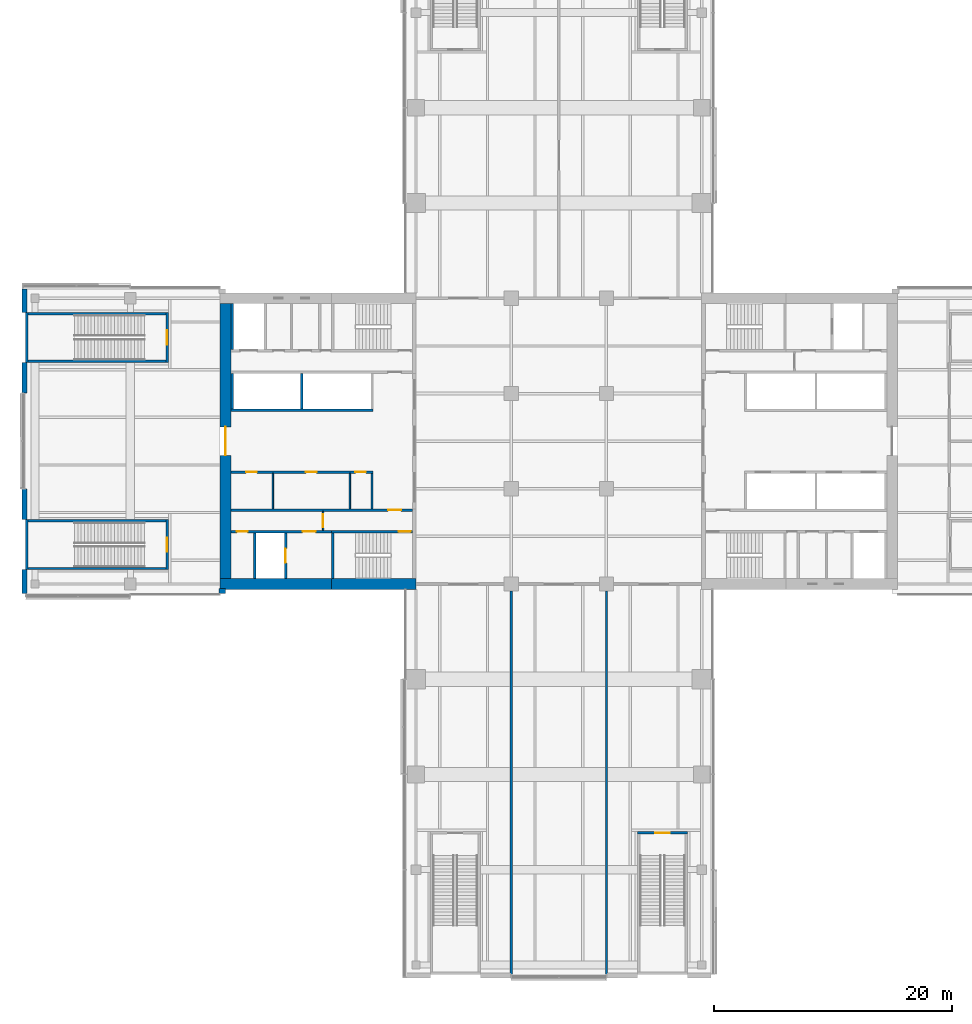
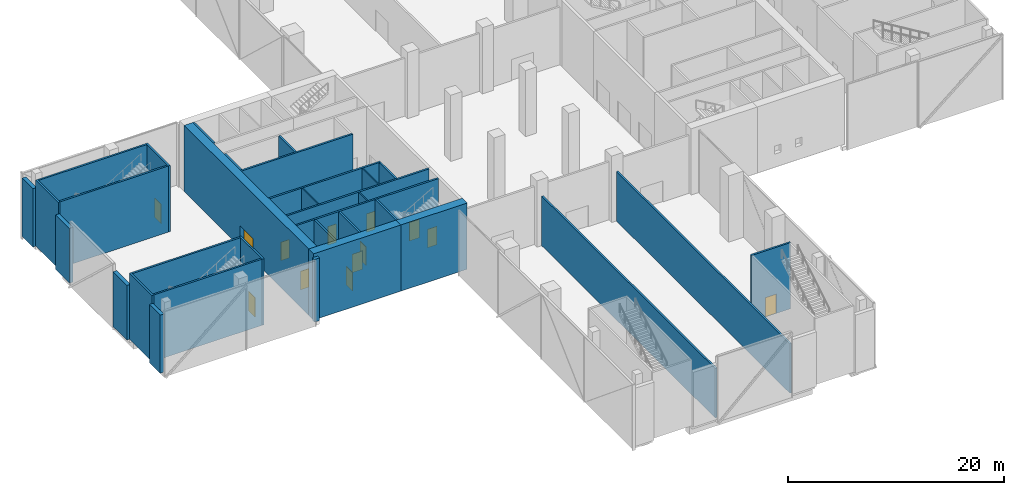
# One storey, part 14 of 25: 34 walls, 13 doors, 13 openings.
"""IFC4 building model written with IfcOpenShell, lengths in metres."""

from ifc_helpers import new_model, si_unit, direction, frame, frame_2d, origin, place, context, subcontext, project, spatial, rectangle, extrude, material, layer, layer_set, constituent, constituent_set, type_object, element, fill, save


model = new_model("IFC4")

# Units and contexts
model_context = context("Model", 3, precision=1e-05, world=origin(), true_north=direction((0.0, 1.0)))
body_context = subcontext(model_context, "Body", "Model", "MODEL_VIEW")
ifc_project = project(units=[si_unit("LENGTHUNIT", "METRE"), si_unit("AREAUNIT", "SQUARE_METRE"), si_unit("VOLUMEUNIT", "CUBIC_METRE"), si_unit("PLANEANGLEUNIT", "RADIAN"), si_unit("MASSUNIT", "GRAM", prefix="KILO")], contexts=[model_context])

# Site, building, storey
site_placement = place(None, origin())
site = spatial("IfcSite", under=ifc_project, at=site_placement, CompositionType="ELEMENT")
building_placement = place(site_placement, origin())
building = spatial("IfcBuilding", under=site, at=building_placement, Name="Crosswind Convention Tower", CompositionType="ELEMENT")
storey_placement = place(building_placement, frame((0.0, 0.0, 17.5)))
storey = spatial("IfcBuildingStorey", under=building, at=storey_placement, Name="L02", CompositionType="ELEMENT", Elevation=17.5)

# Wall, opening, door
ifc_material_1 = material(Name="Concrete C60/75", Category="concrete")
ifc_layer_1 = layer(ifc_material_1, 0.89990234375)
ifc_layer_set_1 = layer_set([ifc_layer_1], Name="Concrete C60/75")
wall_type_1 = type_object("IfcWallType", Name="Concrete core wall 900", PredefinedType="SHEAR", material=ifc_layer_set_1)
wall_1_placement = place(storey_placement, frame((97.0, 111.550048828125, 0.0), z_axis=(0.0, 0.0, 1.0), x_axis=(0.0, -1.0, 0.0)))
wall_1 = element("IfcWall", 1, at=wall_1_placement, inside=storey, type_object=wall_type_1, Name="Wall O W L02", PredefinedType="SHEAR", context=body_context, shape_type="SweptSolid", body=[
    extrude(rectangle(XDim=23.10009765625, YDim=0.89990234375, at=frame_2d((11.550048828125, 0.0))), origin(), (0.0, 0.0, 1.0), 7.5),
])
opening_1_placement = place(wall_1_placement, frame((10.35009765625, 0.0, 0.0)))
opening_1 = element("IfcOpeningElement", 2, at=opening_1_placement, cuts=wall_1, Name="Opening D100", PredefinedType="OPENING", context=body_context, shape_type="SweptSolid", body=[
    extrude(rectangle(XDim=2.39990234375, YDim=2.39990234375, at=frame_2d((1.199951171875, 1.199951171875))), frame((0.0, 0.4599609375, 0.0), z_axis=(0.0, -1.0, 0.0), x_axis=(1.0, 0.0, 0.0)), (0.0, 0.0, 1.0), 0.919921875),
])
ifc_material_2 = material(Name="Steel fire door with glazed vision panels", Category="steel")
door_type_1 = type_object("IfcDoorType", Name="Fire-rated double door 2400x2400", OperationType="DOUBLE_DOOR_SINGLE_SWING", PredefinedType="DOOR", material=ifc_material_2)
door_1_placement = place(opening_1_placement, frame((2.39990234375, 0.0, 0.0), z_axis=(0.0, 0.0, 1.0), x_axis=(-1.0, 0.0, 0.0)))
door_1 = element("IfcDoor", 3, at=door_1_placement, inside=storey, type_object=door_type_1, Name="Lobby outer door L02", ObjectType="D100", OperationType="DOUBLE_DOOR_SINGLE_SWING", OverallHeight=2.39990234375, OverallWidth=2.39990234375, PredefinedType="DOOR", context=body_context, shape_type="SweptSolid", body=[
    extrude(rectangle(XDim=2.39990234375, YDim=2.39990234375, at=frame_2d((1.199951171875, 1.199951171875))), frame((0.0, 0.02490234375, 0.0), z_axis=(0.0, -1.0, 0.0), x_axis=(1.0, 0.0, 0.0)), (0.0, 0.0, 1.0), 0.050048828125),
])
fill(opening_1, door_1)

# Wall
ifc_material_3 = material(Name="Concrete C50/60", Category="concrete")
ifc_layer_2 = layer(ifc_material_3, 0.199951171875)
ifc_layer_set_2 = layer_set([ifc_layer_2], Name="Concrete C50/60")
wall_type_2 = type_object("IfcWallType", Name="Concrete shaft and stair wall 200", PredefinedType="SHEAR", material=ifc_layer_set_2)
wall_2_placement = place(storey_placement, frame((109.300048828125, 97.300048828125, 0.0), z_axis=(0.0, 0.0, 1.0), x_axis=(0.0, -1.0, 0.0)))
element("IfcWall", 4, at=wall_2_placement, inside=storey, type_object=wall_type_2, Name="Wall RPEND W L02", PredefinedType="SHEAR", context=body_context, shape_type="SweptSolid", body=[
    extrude(rectangle(XDim=3.0, YDim=0.199951171875, at=frame_2d((1.5, 0.0))), origin(), (0.0, 0.0, 1.0), 7.5),
])

# Wall, openings, doors
wall_3_placement = place(storey_placement, frame((109.39990234375, 97.39990234375, 0.0), z_axis=(0.0, 0.0, 1.0), x_axis=(-1.0, 0.0, 0.0)))
wall_3 = element("IfcWall", 5, at=wall_3_placement, inside=storey, type_object=wall_type_2, Name="Wall RPFRONT W L02", PredefinedType="SHEAR", context=body_context, shape_type="SweptSolid", body=[
    extrude(rectangle(XDim=11.949951171875, YDim=0.199951171875, at=frame_2d((5.97509765625, 0.0))), origin(), (0.0, 0.0, 1.0), 7.5),
])
opening_2_placement = place(wall_3_placement, frame((0.60009765625, 0.0, 0.0)))
opening_2 = element("IfcOpeningElement", 6, at=opening_2_placement, cuts=wall_3, Name="Opening D106", PredefinedType="OPENING", context=body_context, shape_type="SweptSolid", body=[
    extrude(rectangle(XDim=0.89990234375, YDim=2.10009765625, at=frame_2d((0.449951171875, 1.050048828125))), frame((0.0, 0.10986328125, 0.0), z_axis=(0.0, -1.0, 0.0), x_axis=(1.0, 0.0, 0.0)), (0.0, 0.0, 1.0), 0.219970703125),
])
opening_3_placement = place(wall_3_placement, frame((4.74365234375, 0.0, 0.0)))
opening_3 = element("IfcOpeningElement", 7, at=opening_3_placement, cuts=wall_3, Name="Opening D106", PredefinedType="OPENING", context=body_context, shape_type="SweptSolid", body=[
    extrude(rectangle(XDim=0.89990234375, YDim=2.10009765625, at=frame_2d((0.449951171875, 1.050048828125))), frame((0.0, 0.10986328125, 0.0), z_axis=(0.0, -1.0, 0.0), x_axis=(1.0, 0.0, 0.0)), (0.0, 0.0, 1.0), 0.219970703125),
])
opening_4_placement = place(wall_3_placement, frame((9.768798828125, 0.0, 0.0)))
opening_4 = element("IfcOpeningElement", 8, at=opening_4_placement, cuts=wall_3, Name="Opening D106", PredefinedType="OPENING", context=body_context, shape_type="SweptSolid", body=[
    extrude(rectangle(XDim=0.89990234375, YDim=2.10009765625, at=frame_2d((0.449951171875, 1.050048828125))), frame((0.0, 0.10986328125, 0.0), z_axis=(0.0, -1.0, 0.0), x_axis=(1.0, 0.0, 0.0)), (0.0, 0.0, 1.0), 0.219970703125),
])
ifc_material_4 = material(Name="Timber door", Category="wood")
door_type_2 = type_object("IfcDoorType", Name="Single leaf door 900x2100", OperationType="NOTDEFINED", PredefinedType="DOOR", material=ifc_material_4)
door_2_placement = place(opening_2_placement, origin())
door_2 = element("IfcDoor", 9, at=door_2_placement, inside=storey, type_object=door_type_2, Name="Door to green room L02", ObjectType="D106", OperationType="SINGLE_SWING_RIGHT", OverallHeight=2.10009765625, OverallWidth=0.89990234375, PredefinedType="DOOR", context=body_context, shape_type="SweptSolid", body=[
    extrude(rectangle(XDim=0.89990234375, YDim=2.10009765625, at=frame_2d((0.449951171875, 1.050048828125))), frame((0.0, 0.02490234375, 0.0), z_axis=(0.0, -1.0, 0.0), x_axis=(1.0, 0.0, 0.0)), (0.0, 0.0, 1.0), 0.050048828125),
])
fill(opening_2, door_2)
door_3_placement = place(opening_3_placement, origin())
door_3 = element("IfcDoor", 10, at=door_3_placement, inside=storey, type_object=door_type_2, Name="Door to storeroom L02", ObjectType="D106", OperationType="SINGLE_SWING_RIGHT", OverallHeight=2.10009765625, OverallWidth=0.89990234375, PredefinedType="DOOR", context=body_context, shape_type="SweptSolid", body=[
    extrude(rectangle(XDim=0.89990234375, YDim=2.10009765625, at=frame_2d((0.449951171875, 1.050048828125))), frame((0.0, 0.02490234375, 0.0), z_axis=(0.0, -1.0, 0.0), x_axis=(1.0, 0.0, 0.0)), (0.0, 0.0, 1.0), 0.050048828125),
])
fill(opening_3, door_3)
door_4_placement = place(opening_4_placement, origin())
door_4 = element("IfcDoor", 11, at=door_4_placement, inside=storey, type_object=door_type_2, Name="Door to meeting room L02", ObjectType="D106", OperationType="SINGLE_SWING_RIGHT", OverallHeight=2.10009765625, OverallWidth=0.89990234375, PredefinedType="DOOR", context=body_context, shape_type="SweptSolid", body=[
    extrude(rectangle(XDim=0.89990234375, YDim=2.10009765625, at=frame_2d((0.449951171875, 1.050048828125))), frame((0.0, 0.02490234375, 0.0), z_axis=(0.0, -1.0, 0.0), x_axis=(1.0, 0.0, 0.0)), (0.0, 0.0, 1.0), 0.050048828125),
])
fill(opening_4, door_4)

# Walls
for number, where, z_axis, x_axis, name in (
    (12, (103.39990234375, 105.699951171875, 0.0), (0.0, 0.0, 1.0), (0.0, -1.0, 0.0), "Wall RMSEP W L02"),
    (13, (97.550048828125, 105.699951171875, 0.0), (0.0, 0.0, 1.0), (0.0, -1.0, 0.0), "Wall RMEAST W L02"),
):
    element("IfcWall", number, at=place(storey_placement, frame(where, z_axis=z_axis, x_axis=x_axis)), inside=storey, type_object=wall_type_2, Name=name, PredefinedType="SHEAR", context=body_context, shape_type="SweptSolid", body=[
        extrude(rectangle(XDim=3.0, YDim=0.199951171875, at=frame_2d((1.5, 0.0))), origin(), (0.0, 0.0, 1.0), 7.5),
    ])
wall_4_placement = place(storey_placement, frame((109.39990234375, 102.60009765625, 0.0), z_axis=(0.0, 0.0, 1.0), x_axis=(-1.0, 0.0, 0.0)))
element("IfcWall", 14, at=wall_4_placement, inside=storey, type_object=wall_type_2, Name="Wall RMFRONT W L02", PredefinedType="SHEAR", context=body_context, shape_type="SweptSolid", body=[
    extrude(rectangle(XDim=11.949951171875, YDim=0.199951171875, at=frame_2d((5.97509765625, 0.0))), origin(), (0.0, 0.0, 1.0), 7.5),
])

# Wall, opening, door
wall_5_placement = place(storey_placement, frame((112.699951171875, 94.199951171875, 0.0), z_axis=(0.0, 0.0, 1.0), x_axis=(-1.0, 0.0, 0.0)))
wall_5 = element("IfcWall", 15, at=wall_5_placement, inside=storey, type_object=wall_type_2, Name="Wall HP W L02", PredefinedType="SHEAR", context=body_context, shape_type="SweptSolid", body=[
    extrude(rectangle(XDim=15.25, YDim=0.199951171875, at=frame_2d((7.625, 0.0))), origin(), (0.0, 0.0, 1.0), 7.5),
])
opening_5_placement = place(wall_5_placement, frame((0.949951171875, 0.0, 0.0)))
opening_5 = element("IfcOpeningElement", 16, at=opening_5_placement, cuts=wall_5, Name="Opening D104", PredefinedType="OPENING", context=body_context, shape_type="SweptSolid", body=[
    extrude(rectangle(XDim=1.10009765625, YDim=2.10009765625, at=frame_2d((0.550048828125, 1.050048828125))), frame((0.0, 0.10986328125, 0.0), z_axis=(0.0, -1.0, 0.0), x_axis=(1.0, 0.0, 0.0)), (0.0, 0.0, 1.0), 0.219970703125),
])
ifc_material_5 = material(Name="Steel fire door", Category="steel")
door_type_3 = type_object("IfcDoorType", Name="Fire-rated single door 1100x2100", OperationType="NOTDEFINED", PredefinedType="DOOR", material=ifc_material_5)
door_5_placement = place(opening_5_placement, frame((1.10009765625, 0.0, 0.0), z_axis=(0.0, 0.0, 1.0), x_axis=(-1.0, 0.0, 0.0)))
door_5 = element("IfcDoor", 17, at=door_5_placement, inside=storey, type_object=door_type_3, Name="Corridor door L02", ObjectType="D104", OperationType="SINGLE_SWING_RIGHT", OverallHeight=2.10009765625, OverallWidth=1.10009765625, PredefinedType="DOOR", context=body_context, shape_type="SweptSolid", body=[
    extrude(rectangle(XDim=1.10009765625, YDim=2.10009765625, at=frame_2d((0.550048828125, 1.050048828125))), frame((0.0, 0.02490234375, 0.0), z_axis=(0.0, -1.0, 0.0), x_axis=(1.0, 0.0, 0.0)), (0.0, 0.0, 1.0), 0.050048828125),
])
fill(opening_5, door_5)

# Wall
wall_6_placement = place(storey_placement, frame((106.0, 92.300048828125, 0.0), z_axis=(0.0, 0.0, 1.0), x_axis=(0.0, -1.0, 0.0)))
element("IfcWall", 18, at=wall_6_placement, inside=storey, type_object=wall_type_2, Name="Wall PSE W L02", PredefinedType="SHEAR", context=body_context, shape_type="SweptSolid", body=[
    extrude(rectangle(XDim=3.85009765625, YDim=0.199951171875, at=frame_2d((1.925048828125, 0.0))), origin(), (0.0, 0.0, 1.0), 7.5),
])

# Wall, opening, door
wall_7_placement = place(storey_placement, frame((102.050048828125, 92.300048828125, 0.0), z_axis=(0.0, 0.0, 1.0), x_axis=(0.0, -1.0, 0.0)))
wall_7 = element("IfcWall", 19, at=wall_7_placement, inside=storey, type_object=wall_type_2, Name="Wall PFLW W L02", PredefinedType="SHEAR", context=body_context, shape_type="SweptSolid", body=[
    extrude(rectangle(XDim=3.85009765625, YDim=0.199951171875, at=frame_2d((1.925048828125, 0.0))), origin(), (0.0, 0.0, 1.0), 7.5),
])
opening_6_placement = place(wall_7_placement, frame((1.324951171875, 0.0, 0.0)))
opening_6 = element("IfcOpeningElement", 20, at=opening_6_placement, cuts=wall_7, Name="Opening LD1", PredefinedType="OPENING", context=body_context, shape_type="SweptSolid", body=[
    extrude(rectangle(XDim=1.199951171875, YDim=2.10009765625, at=frame_2d((0.60009765625, 1.050048828125))), frame((0.0, 0.10986328125, 0.0), z_axis=(0.0, -1.0, 0.0), x_axis=(1.0, 0.0, 0.0)), (0.0, 0.0, 1.0), 0.219970703125),
])
ifc_material_6 = material(Name="Stainless steel", Category="steel")
door_type_4 = type_object("IfcDoorType", Name="Lift landing door 1200x2100", OperationType="DOUBLE_DOOR_SLIDING", PredefinedType="DOOR", material=ifc_material_6)
door_6_placement = place(opening_6_placement, origin())
door_6 = element("IfcDoor", 21, at=door_6_placement, inside=storey, type_object=door_type_4, Name="Landing door FF2 L02", ObjectType="LD1", OperationType="DOUBLE_DOOR_SLIDING", OverallHeight=2.10009765625, OverallWidth=1.199951171875, PredefinedType="DOOR", context=body_context, shape_type="SweptSolid", body=[
    extrude(rectangle(XDim=1.199951171875, YDim=2.10009765625, at=frame_2d((0.60009765625, 1.050048828125))), frame((0.0, 0.02490234375, 0.0), z_axis=(0.0, -1.0, 0.0), x_axis=(1.0, 0.0, 0.0)), (0.0, 0.0, 1.0), 0.050048828125),
])
fill(opening_6, door_6)

# Wall
wall_8_placement = place(storey_placement, frame((99.449951171875, 92.300048828125, 0.0), z_axis=(0.0, 0.0, 1.0), x_axis=(0.0, -1.0, 0.0)))
element("IfcWall", 22, at=wall_8_placement, inside=storey, type_object=wall_type_2, Name="Wall PFSE W L02", PredefinedType="SHEAR", context=body_context, shape_type="SweptSolid", body=[
    extrude(rectangle(XDim=3.85009765625, YDim=0.199951171875, at=frame_2d((1.925048828125, 0.0))), origin(), (0.0, 0.0, 1.0), 7.5),
])

# Wall, opening, door
wall_9_placement = place(storey_placement, frame((112.699951171875, 92.39990234375, 0.0), z_axis=(0.0, 0.0, 1.0), x_axis=(-1.0, 0.0, 0.0)))
wall_9 = element("IfcWall", 23, at=wall_9_placement, inside=storey, type_object=wall_type_2, Name="Wall PCW W L02", PredefinedType="SHEAR", context=body_context, shape_type="SweptSolid", body=[
    extrude(rectangle(XDim=6.800048828125, YDim=0.199951171875, at=frame_2d((3.39990234375, 0.0))), origin(), (0.0, 0.0, 1.0), 7.5),
])
opening_7_placement = place(wall_9_placement, frame((0.14990234375, 0.0, 0.0)))
opening_7 = element("IfcOpeningElement", 24, at=opening_7_placement, cuts=wall_9, Name="Opening D103", PredefinedType="OPENING", context=body_context, shape_type="SweptSolid", body=[
    extrude(rectangle(XDim=1.0, YDim=2.10009765625, at=frame_2d((0.5, 1.050048828125))), frame((0.0, 0.10986328125, 0.0), z_axis=(0.0, -1.0, 0.0), x_axis=(1.0, 0.0, 0.0)), (0.0, 0.0, 1.0), 0.219970703125),
])
door_type_5 = type_object("IfcDoorType", Name="Fire-rated single door 1000x2100", OperationType="NOTDEFINED", PredefinedType="DOOR", material=ifc_material_5)
door_7_placement = place(opening_7_placement, origin())
door_7 = element("IfcDoor", 25, at=door_7_placement, inside=storey, type_object=door_type_5, Name="Stair ST3 door L02", ObjectType="D103", OperationType="SINGLE_SWING_LEFT", OverallHeight=2.10009765625, OverallWidth=1.0, PredefinedType="DOOR", context=body_context, shape_type="SweptSolid", body=[
    extrude(rectangle(XDim=1.0, YDim=2.10009765625, at=frame_2d((0.5, 1.050048828125))), frame((0.0, 0.02490234375, 0.0), z_axis=(0.0, -1.0, 0.0), x_axis=(1.0, 0.0, 0.0)), (0.0, 0.0, 1.0), 0.050048828125),
])
fill(opening_7, door_7)

# Wall, openings, doors
wall_10_placement = place(storey_placement, frame((105.89990234375, 92.39990234375, 0.0), z_axis=(0.0, 0.0, 1.0), x_axis=(-1.0, 0.0, 0.0)))
wall_10 = element("IfcWall", 26, at=wall_10_placement, inside=storey, type_object=wall_type_2, Name="Wall PCX W L02", PredefinedType="SHEAR", context=body_context, shape_type="SweptSolid", body=[
    extrude(rectangle(XDim=8.449951171875, YDim=0.199951171875, at=frame_2d((4.22509765625, 0.0))), origin(), (0.0, 0.0, 1.0), 7.5),
])
opening_8_placement = place(wall_10_placement, frame((1.324951171875, 0.0, 0.0)))
opening_8 = element("IfcOpeningElement", 27, at=opening_8_placement, cuts=wall_10, Name="Opening D104", PredefinedType="OPENING", context=body_context, shape_type="SweptSolid", body=[
    extrude(rectangle(XDim=1.10009765625, YDim=2.10009765625, at=frame_2d((0.550048828125, 1.050048828125))), frame((0.0, 0.10986328125, 0.0), z_axis=(0.0, -1.0, 0.0), x_axis=(1.0, 0.0, 0.0)), (0.0, 0.0, 1.0), 0.219970703125),
])
opening_9_placement = place(wall_10_placement, frame((7.050048828125, 0.0, 0.0)))
opening_9 = element("IfcOpeningElement", 28, at=opening_9_placement, cuts=wall_10, Name="Opening D106", PredefinedType="OPENING", context=body_context, shape_type="SweptSolid", body=[
    extrude(rectangle(XDim=0.89990234375, YDim=2.10009765625, at=frame_2d((0.449951171875, 1.050048828125))), frame((0.0, 0.10986328125, 0.0), z_axis=(0.0, -1.0, 0.0), x_axis=(1.0, 0.0, 0.0)), (0.0, 0.0, 1.0), 0.219970703125),
])
door_8_placement = place(opening_8_placement, frame((1.10009765625, 0.0, 0.0), z_axis=(0.0, 0.0, 1.0), x_axis=(-1.0, 0.0, 0.0)))
door_8 = element("IfcDoor", 29, at=door_8_placement, inside=storey, type_object=door_type_3, Name="Fire-fighting lobby FF2 door L02", ObjectType="D104", OperationType="SINGLE_SWING_RIGHT", OverallHeight=2.10009765625, OverallWidth=1.10009765625, PredefinedType="DOOR", context=body_context, shape_type="SweptSolid", body=[
    extrude(rectangle(XDim=1.10009765625, YDim=2.10009765625, at=frame_2d((0.550048828125, 1.050048828125))), frame((0.0, 0.02490234375, 0.0), z_axis=(0.0, -1.0, 0.0), x_axis=(1.0, 0.0, 0.0)), (0.0, 0.0, 1.0), 0.050048828125),
])
fill(opening_8, door_8)
door_9_placement = place(opening_9_placement, origin())
door_9 = element("IfcDoor", 30, at=door_9_placement, inside=storey, type_object=door_type_2, Name="Door to electrical room L02", ObjectType="D106", OperationType="SINGLE_SWING_RIGHT", OverallHeight=2.10009765625, OverallWidth=0.89990234375, PredefinedType="DOOR", context=body_context, shape_type="SweptSolid", body=[
    extrude(rectangle(XDim=0.89990234375, YDim=2.10009765625, at=frame_2d((0.449951171875, 1.050048828125))), frame((0.0, 0.02490234375, 0.0), z_axis=(0.0, -1.0, 0.0), x_axis=(1.0, 0.0, 0.0)), (0.0, 0.0, 1.0), 0.050048828125),
])
fill(opening_9, door_9)

# Walls
wall_11_placement = place(storey_placement, frame((97.550048828125, 111.550048828125, 0.0), z_axis=(0.0, 0.0, 1.0), x_axis=(0.0, -1.0, 0.0)))
element("IfcWall", 31, at=wall_11_placement, inside=storey, type_object=wall_type_2, Name="Wall MFSE W L02", PredefinedType="SHEAR", context=body_context, shape_type="SweptSolid", body=[
    extrude(rectangle(XDim=3.85009765625, YDim=0.199951171875, at=frame_2d((1.925048828125, 0.0))), origin(), (0.0, 0.0, 1.0), 7.5),
])
ifc_material_7 = material(Name="Gypsum plasterboard partition", Category="gypsum")
ifc_layer_3 = layer(ifc_material_7, 0.125)
ifc_layer_set_3 = layer_set([ifc_layer_3], Name="Drywall partition wall 125")
wall_type_3 = type_object("IfcWallType", Name="Drywall partition wall 125", PredefinedType="PARTITIONING", material=ifc_layer_set_3)
for number, where, z_axis, x_axis, name in (
    (32, (107.4375, 97.300048828125, 0.0), (0.0, 0.0, 1.0), (0.0, -1.0, 0.0), "Wall RPP1 W L02"),
    (33, (100.97509765625, 97.300048828125, 0.0), (0.0, 0.0, 1.0), (0.0, -1.0, 0.0), "Wall RPP2 W L02"),
):
    element("IfcWall", number, at=place(storey_placement, frame(where, z_axis=z_axis, x_axis=x_axis)), inside=storey, type_object=wall_type_3, Name=name, PredefinedType="PARTITIONING", context=body_context, shape_type="SweptSolid", body=[
        extrude(rectangle(XDim=3.0, YDim=0.125, at=frame_2d((1.5, 0.0))), origin(), (0.0, 0.0, 1.0), 7.5),
    ])

# Wall, opening, door
wall_12_placement = place(storey_placement, frame((105.199951171875, 94.10009765625, 0.0), z_axis=(0.0, 0.0, 1.0), x_axis=(0.0, -1.0, 0.0)))
wall_12 = element("IfcWall", 34, at=wall_12_placement, inside=storey, type_object=wall_type_3, Name="Wall PXC1 W L02", PredefinedType="PARTITIONING", context=body_context, shape_type="SweptSolid", body=[
    extrude(rectangle(XDim=1.60009765625, YDim=0.125, at=frame_2d((0.800048828125, 0.0))), origin(), (0.0, 0.0, 1.0), 7.5),
])
opening_10_placement = place(wall_12_placement, frame((0.25, 0.0, 0.0)))
opening_10 = element("IfcOpeningElement", 35, at=opening_10_placement, cuts=wall_12, Name="Opening D104", PredefinedType="OPENING", context=body_context, shape_type="SweptSolid", body=[
    extrude(rectangle(XDim=1.10009765625, YDim=2.10009765625, at=frame_2d((0.550048828125, 1.050048828125))), frame((0.0, 0.072509765625, 0.0), z_axis=(0.0, -1.0, 0.0), x_axis=(1.0, 0.0, 0.0)), (0.0, 0.0, 1.0), 0.14501953125),
])
door_10_placement = place(opening_10_placement, origin())
door_10 = element("IfcDoor", 36, at=door_10_placement, inside=storey, type_object=door_type_3, Name="Corridor smoke door L02", ObjectType="D104", OperationType="SINGLE_SWING_RIGHT", OverallHeight=2.10009765625, OverallWidth=1.10009765625, PredefinedType="DOOR", context=body_context, shape_type="SweptSolid", body=[
    extrude(rectangle(XDim=1.10009765625, YDim=2.10009765625, at=frame_2d((0.550048828125, 1.050048828125))), frame((0.0, 0.02490234375, 0.0), z_axis=(0.0, -1.0, 0.0), x_axis=(1.0, 0.0, 0.0)), (0.0, 0.0, 1.0), 0.050048828125),
])
fill(opening_10, door_10)

# Walls
ifc_material_8 = material(Name="Double plasterboard partition", Category="gypsum")
ifc_layer_4 = layer(ifc_material_8, 0.199951171875)
ifc_layer_set_4 = layer_set([ifc_layer_4], Name="HALL WALL 200")
wall_type_4 = type_object("IfcWallType", Name="HALL WALL 200", PredefinedType="PARTITIONING", material=ifc_layer_set_4)
for number, where, z_axis, x_axis, name in (
    (37, (121.0, 55.199951171875, 0.0), (0.0, 0.0, 1.0), (0.0, 1.0, 0.0), "Hall Wall 32"),
    (38, (129.0, 55.199951171875, 0.0), (0.0, 0.0, 1.0), (0.0, 1.0, 0.0), "Hall Wall 34"),
):
    element("IfcWall", number, at=place(storey_placement, frame(where, z_axis=z_axis, x_axis=x_axis)), inside=storey, type_object=wall_type_4, Name=name, PredefinedType="PARTITIONING", context=body_context, shape_type="SweptSolid", body=[
        extrude(rectangle(XDim=32.199951171875, YDim=0.199951171875, at=frame_2d((16.10009765625, 0.0))), origin(), (0.0, 0.0, 1.0), 5.60009765625),
    ])

# Wall, opening, door
ifc_material_9 = material(Name="Concrete C40/50", Category="concrete")
ifc_layer_5 = layer(ifc_material_9, 0.199951171875)
ifc_layer_set_5 = layer_set([ifc_layer_5], Name="Concrete C40/50")
wall_type_5 = type_object("IfcWallType", Name="STAIR ENCLOSURE WALL 200", PredefinedType="SOLIDWALL", material=ifc_layer_set_5)
wall_13_placement = place(storey_placement, frame((131.60009765625, 67.10009765625, 0.0), z_axis=(0.0, 0.0, 1.0), x_axis=(1.0, 0.0, 0.0)))
wall_13 = element("IfcWall", 39, at=wall_13_placement, inside=storey, type_object=wall_type_5, Name="Stair Enclosure Wall 4", PredefinedType="SOLIDWALL", context=body_context, shape_type="SweptSolid", body=[
    extrude(rectangle(XDim=4.199951171875, YDim=0.199951171875, at=frame_2d((2.10009765625, 0.0))), origin(), (0.0, 0.0, 1.0), 7.5),
])
opening_11_placement = place(wall_13_placement, frame((1.5, 0.0, 0.0)))
opening_11 = element("IfcOpeningElement", 40, at=opening_11_placement, cuts=wall_13, Name="Opening 02.014", PredefinedType="OPENING", context=body_context, shape_type="SweptSolid", body=[
    extrude(rectangle(XDim=1.199951171875, YDim=2.199951171875, at=frame_2d((0.60009765625, 1.10009765625))), frame((0.0, 0.10986328125, 0.0), z_axis=(0.0, -1.0, 0.0), x_axis=(1.0, 0.0, 0.0)), (0.0, 0.0, 1.0), 0.219970703125),
])
door_type_6 = type_object("IfcDoorType", Name="STAIR DOOR 1200X2200", OperationType="NOTDEFINED", PredefinedType="DOOR", material=ifc_material_5)
door_11_placement = place(opening_11_placement, frame((1.199951171875, 0.0, 0.0), z_axis=(0.0, 0.0, 1.0), x_axis=(-1.0, 0.0, 0.0)))
door_11 = element("IfcDoor", 41, at=door_11_placement, inside=storey, type_object=door_type_6, Name="Door 02.014", ObjectType="D4", OperationType="SINGLE_SWING_LEFT", OverallHeight=2.199951171875, OverallWidth=1.199951171875, PredefinedType="DOOR", context=body_context, shape_type="SweptSolid", body=[
    extrude(rectangle(XDim=1.199951171875, YDim=2.199951171875, at=frame_2d((0.60009765625, 1.10009765625))), frame((0.0, 0.02490234375, 0.0), z_axis=(0.0, -1.0, 0.0), x_axis=(1.0, 0.0, 0.0)), (0.0, 0.0, 1.0), 0.050048828125),
])
fill(opening_11, door_11)

# Walls
for number, where, z_axis, x_axis, name in (
    (42, (80.39990234375, 89.300048828125, 0.0), (0.0, 0.0, 1.0), (1.0, 0.0, 0.0), "Stair Enclosure Wall 8"),
    (43, (80.39990234375, 93.300048828125, 0.0), (0.0, 0.0, 1.0), (1.0, 0.0, 0.0), "Stair Enclosure Wall 10"),
    (44, (80.39990234375, 106.699951171875, 0.0), (0.0, 0.0, 1.0), (1.0, 0.0, 0.0), "Stair Enclosure Wall 13"),
    (45, (80.39990234375, 110.699951171875, 0.0), (0.0, 0.0, 1.0), (1.0, 0.0, 0.0), "Stair Enclosure Wall 15"),
):
    element("IfcWall", number, at=place(storey_placement, frame(where, z_axis=z_axis, x_axis=x_axis)), inside=storey, type_object=wall_type_5, Name=name, PredefinedType="SOLIDWALL", context=body_context, shape_type="SweptSolid", body=[
        extrude(rectangle(XDim=11.60009765625, YDim=0.199951171875, at=frame_2d((5.800048828125, 0.0))), origin(), (0.0, 0.0, 1.0), 7.5),
    ])
for number, where, z_axis, x_axis, name in (
    (46, (80.300048828125, 89.199951171875, 0.0), (0.0, 0.0, 1.0), (0.0, 1.0, 0.0), "Stair Enclosure Wall 24"),
    (47, (80.300048828125, 106.60009765625, 0.0), (0.0, 0.0, 1.0), (0.0, 1.0, 0.0), "Stair Enclosure Wall 25"),
):
    element("IfcWall", number, at=place(storey_placement, frame(where, z_axis=z_axis, x_axis=x_axis)), inside=storey, type_object=wall_type_5, Name=name, PredefinedType="SOLIDWALL", context=body_context, shape_type="SweptSolid", body=[
        extrude(rectangle(XDim=4.199951171875, YDim=0.199951171875, at=frame_2d((2.10009765625, 0.0))), origin(), (0.0, 0.0, 1.0), 7.5),
    ])

# Wall, opening, door
wall_14_placement = place(storey_placement, frame((92.10009765625, 89.199951171875, 0.0), z_axis=(0.0, 0.0, 1.0), x_axis=(0.0, 1.0, 0.0)))
wall_14 = element("IfcWall", 48, at=wall_14_placement, inside=storey, type_object=wall_type_5, Name="Stair Enclosure Wall 26", PredefinedType="SOLIDWALL", context=body_context, shape_type="SweptSolid", body=[
    extrude(rectangle(XDim=4.199951171875, YDim=0.199951171875, at=frame_2d((2.10009765625, 0.0))), origin(), (0.0, 0.0, 1.0), 7.5),
])
opening_12_placement = place(wall_14_placement, frame((1.5, 0.0, 0.0)))
opening_12 = element("IfcOpeningElement", 49, at=opening_12_placement, cuts=wall_14, Name="Opening 02.015", PredefinedType="OPENING", context=body_context, shape_type="SweptSolid", body=[
    extrude(rectangle(XDim=1.199951171875, YDim=2.199951171875, at=frame_2d((0.60009765625, 1.10009765625))), frame((0.0, 0.10986328125, 0.0), z_axis=(0.0, -1.0, 0.0), x_axis=(1.0, 0.0, 0.0)), (0.0, 0.0, 1.0), 0.219970703125),
])
door_12_placement = place(opening_12_placement, origin())
door_12 = element("IfcDoor", 50, at=door_12_placement, inside=storey, type_object=door_type_6, Name="Door 02.015", ObjectType="D4", OperationType="SINGLE_SWING_RIGHT", OverallHeight=2.199951171875, OverallWidth=1.199951171875, PredefinedType="DOOR", context=body_context, shape_type="SweptSolid", body=[
    extrude(rectangle(XDim=1.199951171875, YDim=2.199951171875, at=frame_2d((0.60009765625, 1.10009765625))), frame((0.0, 0.02490234375, 0.0), z_axis=(0.0, -1.0, 0.0), x_axis=(1.0, 0.0, 0.0)), (0.0, 0.0, 1.0), 0.050048828125),
])
fill(opening_12, door_12)

wall_15_placement = place(storey_placement, frame((92.10009765625, 106.60009765625, 0.0), z_axis=(0.0, 0.0, 1.0), x_axis=(0.0, 1.0, 0.0)))
wall_15 = element("IfcWall", 51, at=wall_15_placement, inside=storey, type_object=wall_type_5, Name="Stair Enclosure Wall 27", PredefinedType="SOLIDWALL", context=body_context, shape_type="SweptSolid", body=[
    extrude(rectangle(XDim=4.199951171875, YDim=0.199951171875, at=frame_2d((2.10009765625, 0.0))), origin(), (0.0, 0.0, 1.0), 7.5),
])
opening_13_placement = place(wall_15_placement, frame((1.5, 0.0, 0.0)))
opening_13 = element("IfcOpeningElement", 52, at=opening_13_placement, cuts=wall_15, Name="Opening 02.016", PredefinedType="OPENING", context=body_context, shape_type="SweptSolid", body=[
    extrude(rectangle(XDim=1.199951171875, YDim=2.199951171875, at=frame_2d((0.60009765625, 1.10009765625))), frame((0.0, 0.10986328125, 0.0), z_axis=(0.0, -1.0, 0.0), x_axis=(1.0, 0.0, 0.0)), (0.0, 0.0, 1.0), 0.219970703125),
])
door_13_placement = place(opening_13_placement, origin())
door_13 = element("IfcDoor", 53, at=door_13_placement, inside=storey, type_object=door_type_6, Name="Door 02.016", ObjectType="D4", OperationType="SINGLE_SWING_RIGHT", OverallHeight=2.199951171875, OverallWidth=1.199951171875, PredefinedType="DOOR", context=body_context, shape_type="SweptSolid", body=[
    extrude(rectangle(XDim=1.199951171875, YDim=2.199951171875, at=frame_2d((0.60009765625, 1.10009765625))), frame((0.0, 0.02490234375, 0.0), z_axis=(0.0, -1.0, 0.0), x_axis=(1.0, 0.0, 0.0)), (0.0, 0.0, 1.0), 0.050048828125),
])
fill(opening_13, door_13)

# Walls
ifc_material_10 = material(Name="Terracotta rainscreen", Category="ceramic")
ifc_layer_6 = layer(ifc_material_10, 0.02001953125)
ifc_material_11 = material(Name="Mineral wool insulation", Category="insulation")
ifc_layer_7 = layer(ifc_material_11, 0.10009765625)
ifc_material_12 = material(Name="Concrete blockwork", Category="masonry")
ifc_layer_8 = layer(ifc_material_12, 0.285888671875)
ifc_layer_set_6 = layer_set([ifc_layer_6, ifc_layer_7, ifc_layer_8], Name="TERRACOTTA CORNER INFILL WALL 406")
wall_type_6 = type_object("IfcWallType", Name="TERRACOTTA CORNER INFILL WALL 406", PredefinedType="SOLIDWALL", material=ifc_layer_set_6)
wall_16_placement = place(storey_placement, frame((96.445068359375, 87.403076171875, 0.0), z_axis=(0.0, 0.0, 1.0), x_axis=(1.0, 0.0, 0.0)))
element("IfcWall", 54, at=wall_16_placement, inside=storey, type_object=wall_type_6, Name="Core corner infill wall L02 3", PredefinedType="SOLIDWALL", context=body_context, shape_type="SweptSolid", body=[
    extrude(rectangle(XDim=0.554931640625, YDim=0.406005859375, at=frame_2d((0.27734375, 0.0))), origin(), (0.0, 0.0, 1.0), 7.10009765625),
])
ifc_layer_9 = layer(ifc_material_10, 0.02001953125)
ifc_layer_10 = layer(ifc_material_11, 0.10009765625)
ifc_layer_11 = layer(ifc_material_12, 0.280029296875)
ifc_layer_set_7 = layer_set([ifc_layer_9, ifc_layer_10, ifc_layer_11], Name="TERRACOTTA INFILL WALL 400")
wall_type_7 = type_object("IfcWallType", Name="TERRACOTTA INFILL WALL 400", PredefinedType="SOLIDWALL", material=ifc_layer_set_7)
wall_17_placement = place(storey_placement, frame((80.114990234375, 112.800048828125, 0.0), z_axis=(0.0, 0.0, 1.0), x_axis=(0.0, -1.0, 0.0)))
element("IfcWall", 55, at=wall_17_placement, inside=storey, type_object=wall_type_7, Name="Stair enclosure side wall L02 W-TIP.1-1.1", PredefinedType="SOLIDWALL", context=body_context, shape_type="SweptSolid", body=[
    extrude(rectangle(XDim=2.0, YDim=0.39990234375, at=frame_2d((1.0, 0.0))), origin(), (0.0, 0.0, 1.0), 6.60009765625),
])
for number, where, z_axis, x_axis, name in (
    (56, (80.114990234375, 106.60009765625, 0.0), (0.0, 0.0, 1.0), (0.0, -1.0, 0.0), "Stair enclosure side wall L02 W-TIP.1-1.2"),
    (57, (80.114990234375, 95.9599609375, 0.0), (0.0, 0.0, 1.0), (0.0, -1.0, 0.0), "Stair enclosure side wall L02 W-TIP.1-3.1"),
):
    element("IfcWall", number, at=place(storey_placement, frame(where, z_axis=z_axis, x_axis=x_axis)), inside=storey, type_object=wall_type_7, Name=name, PredefinedType="SOLIDWALL", context=body_context, shape_type="SweptSolid", body=[
        extrude(rectangle(XDim=2.56005859375, YDim=0.39990234375, at=frame_2d((1.280029296875, 0.0))), origin(), (0.0, 0.0, 1.0), 6.199951171875),
    ])
wall_18_placement = place(storey_placement, frame((80.114990234375, 89.199951171875, 0.0), z_axis=(0.0, 0.0, 1.0), x_axis=(0.0, -1.0, 0.0)))
element("IfcWall", 58, at=wall_18_placement, inside=storey, type_object=wall_type_7, Name="Stair enclosure side wall L02 W-TIP.1-3.2", PredefinedType="SOLIDWALL", context=body_context, shape_type="SweptSolid", body=[
    extrude(rectangle(XDim=2.0, YDim=0.39990234375, at=frame_2d((1.0, 0.0))), origin(), (0.0, 0.0, 1.0), 6.60009765625),
])
ifc_constituent_1 = constituent(ifc_material_1, Name="Structure")
ifc_constituent_2 = constituent(ifc_material_10, Name="Facing")
ifc_constituent_set = constituent_set(constituents=[ifc_constituent_1, ifc_constituent_2], Name="Concrete C60/75, Terracotta rainscreen")
wall_type_8 = type_object("IfcWallType", Name="Terracotta rainscreen on concrete core wall 900", PredefinedType="SHEAR", material=ifc_constituent_set)
wall_19_placement = place(storey_placement, frame((113.0, 88.0, 0.0), z_axis=(0.0, 0.0, 1.0), x_axis=(-1.0, 0.0, 0.0)))
element("IfcWall", 59, at=wall_19_placement, inside=storey, type_object=wall_type_8, Name="Wall N1 W L02", PredefinedType="SHEAR", context=body_context, shape_type="SweptSolid", body=[
    extrude(rectangle(XDim=7.10009765625, YDim=0.89990234375, at=frame_2d((3.550048828125, 0.0))), origin(), (0.0, 0.0, 1.0), 7.5),
])
wall_20_placement = place(storey_placement, frame((105.89990234375, 88.0, 0.0), z_axis=(0.0, 0.0, 1.0), x_axis=(-1.0, 0.0, 0.0)))
element("IfcWall", 60, at=wall_20_placement, inside=storey, type_object=wall_type_8, Name="Wall N2 W L02", PredefinedType="SHEAR", context=body_context, shape_type="SweptSolid", body=[
    extrude(rectangle(XDim=9.349853515625, YDim=0.89990234375, at=frame_2d((4.6748046875, 0.0))), origin(), (0.0, 0.0, 1.0), 7.5),
])

save(model, "model.ifc")
